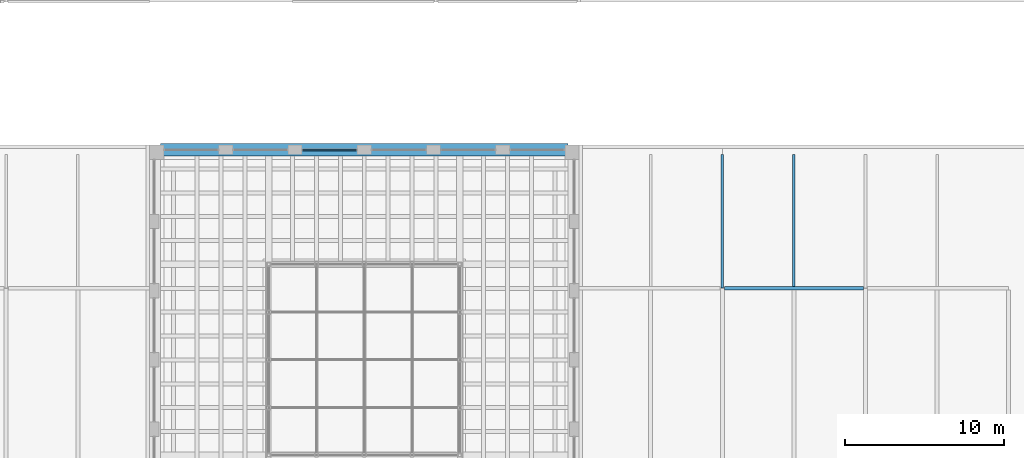
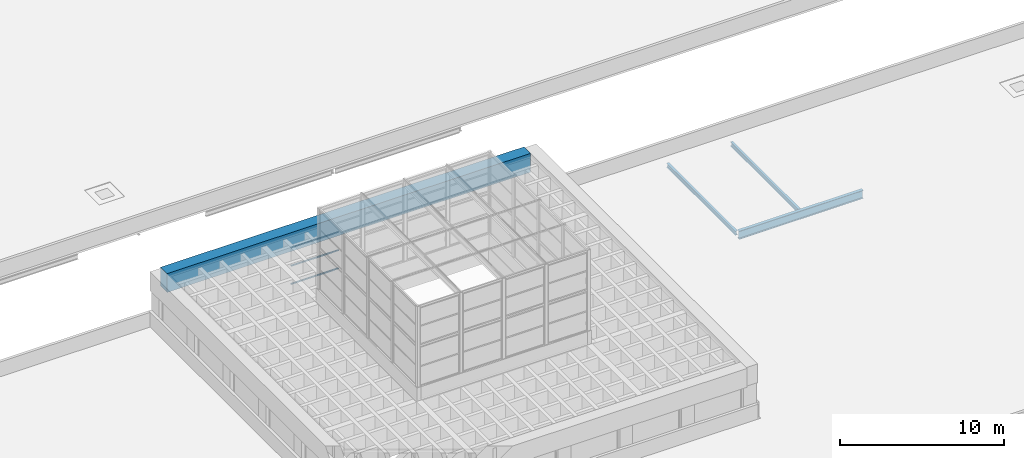
# One storey, part 35 of 50: 4 beams, 3 members, 1 element without a shape of its own.
"""IFC4 building model written with IfcOpenShell, lengths in metres."""

from ifc_helpers import new_model, si_unit, direction, frame, origin, origin_2d, place, context, subcontext, project, spatial, rectangle, i_section, extrude, material, layer, layer_set, material_profile, profile_set, type_object, element, aggregate, save


model = new_model("IFC4")

# Units and contexts
model_context = context("Model", 3, precision=1e-05, world=origin(), true_north=direction((0.0, 1.0)))
body_context = subcontext(model_context, "Body", "Model", "MODEL_VIEW")
ifc_project = project(units=[si_unit("LENGTHUNIT", "METRE"), si_unit("AREAUNIT", "SQUARE_METRE"), si_unit("VOLUMEUNIT", "CUBIC_METRE"), si_unit("PLANEANGLEUNIT", "RADIAN"), si_unit("MASSUNIT", "GRAM", prefix="KILO")], contexts=[model_context])

# Site, building, storey
site_placement = place(None, origin())
site = spatial("IfcSite", under=ifc_project, at=site_placement, CompositionType="ELEMENT")
building_placement = place(site_placement, origin())
building = spatial("IfcBuilding", under=site, at=building_placement, Name="Corbel Yard City Hall", CompositionType="ELEMENT")
storey_placement = place(building_placement, frame((0.0, 0.0, 15.0)))
storey = spatial("IfcBuildingStorey", under=building, at=storey_placement, Name="L03", CompositionType="ELEMENT", Elevation=15.0)

# Beams
ifc_material_1 = material(Name="Steel Grade 300 (300 MPa yield)", Category="steel")
ifc_material_profile_1 = material_profile(ifc_material_1, i_section(OverallWidth=0.166015625, OverallDepth=0.306884765625, WebThickness=0.006591796875, FlangeThickness=0.01171875, at=origin_2d()), Name="310UB46.2")
ifc_profile_set_1 = profile_set([ifc_material_profile_1], Name="Steel Grade 300 (300 MPa yield)")
beam_type_1 = type_object("IfcBeamType", Name="Beam 310UB46.2", PredefinedType="BEAM", material=ifc_profile_set_1)
beam_1_placement = place(storey_placement, frame((153.0, 72.00537109375, -0.303466796875), z_axis=(0.0, 1.0, 0.0), x_axis=(-1.0, 0.0, 0.0)))
element("IfcBeam", 1, at=beam_1_placement, inside=storey, type_object=beam_type_1, Name="Beam 310UB46.2 SB19 L03roof", PredefinedType="BEAM", context=body_context, shape_type="SweptSolid", body=[
    extrude(i_section(OverallWidth=0.166015625, OverallDepth=0.306884765625, WebThickness=0.006591796875, FlangeThickness=0.01171875, at=origin_2d()), origin(), (0.0, 0.0, 1.0), 8.39453125),
])
ifc_material_2 = material(Name="Concrete N50 (50 MPa)", Category="concrete")
ifc_material_profile_2 = material_profile(ifc_material_2, rectangle(XDim=0.800048828125, YDim=1.39990234375, at=origin_2d()), Name="800x1400")
ifc_profile_set_2 = profile_set([ifc_material_profile_2], Name="Concrete N50 (50 MPa)")
beam_type_2 = type_object("IfcBeamType", Name="Chamber roof edge beam RC 800X1400", PredefinedType="BEAM", material=ifc_profile_set_2)
beam_2_placement = place(storey_placement, frame((117.699951171875, 80.699951171875, 3.300048828125), z_axis=(1.0, 0.0, 0.0), x_axis=(0.0, 1.0, 0.0)))
element("IfcBeam", 2, at=beam_2_placement, inside=storey, type_object=beam_type_2, Name="Chamber roof edge beam RC 800X1400 EB14 north", PredefinedType="BEAM", context=body_context, shape_type="SweptSolid", body=[
    extrude(rectangle(XDim=0.800048828125, YDim=1.39990234375, at=origin_2d()), origin(), (0.0, 0.0, 1.0), 25.60009765625),
])
ifc_material_profile_3 = material_profile(ifc_material_1, i_section(OverallWidth=0.22900390625, OverallDepth=0.612060546875, WebThickness=0.011962890625, FlangeThickness=0.01953125, at=origin_2d()), Name="610UB125")
ifc_profile_set_3 = profile_set([ifc_material_profile_3], Name="Steel Grade 300 (300 MPa yield)")
beam_type_3 = type_object("IfcBeamType", Name="Girder 610UB125", PredefinedType="BEAM", material=ifc_profile_set_3)
beam_3_placement = place(storey_placement, frame((153.1298828125, 72.0, -0.4560546875), z_axis=(1.0, 0.0, 0.0), x_axis=(0.0, 1.0, 0.0)))
element("IfcBeam", 3, at=beam_3_placement, inside=storey, type_object=beam_type_3, Name="Girder 610UB125 GB1 L03roof", PredefinedType="BEAM", context=body_context, shape_type="SweptSolid", body=[
    extrude(i_section(OverallWidth=0.22900390625, OverallDepth=0.612060546875, WebThickness=0.011962890625, FlangeThickness=0.01953125, at=origin_2d()), origin(), (0.0, 0.0, 1.0), 8.740234375),
])
ifc_material_profile_4 = material_profile(ifc_material_1, i_section(OverallWidth=0.166015625, OverallDepth=0.306884765625, WebThickness=0.006591796875, FlangeThickness=0.01171875, at=origin_2d()), Name="310UB46.2")
ifc_profile_set_4 = profile_set([ifc_material_profile_4], Name="Steel Grade 300 (300 MPa yield)")
beam_type_4 = type_object("IfcBeamType", Name="Secondary beam 310UB46.2", PredefinedType="JOIST", material=ifc_profile_set_4)
beam_4_placement = place(storey_placement, frame((157.5, 72.114501953125, -0.303466796875), z_axis=(0.0, 1.0, 0.0), x_axis=(-1.0, 0.0, 0.0)))
element("IfcBeam", 4, at=beam_4_placement, inside=storey, type_object=beam_type_4, Name="Secondary beam 310UB46.2 SB17 L03roof", PredefinedType="JOIST", context=body_context, shape_type="SweptSolid", body=[
    extrude(i_section(OverallWidth=0.166015625, OverallDepth=0.306884765625, WebThickness=0.006591796875, FlangeThickness=0.01171875, at=origin_2d()), origin(), (0.0, 0.0, 1.0), 8.285400390625),
])

# Curtain wall, members
ifc_material_3 = material(Name="Aluminium extrusion", Category="aluminium")
ifc_layer = layer(ifc_material_3, 0.1201171875)
ifc_layer_set = layer_set([ifc_layer], Name="Aluminium extrusion")
curtain_wall_type = type_object("IfcCurtainWallType", Name="CW3", PredefinedType="USERDEFINED", material=ifc_layer_set)
curtain_wall_placement = place(storey_placement, origin())
curtain_wall = element("IfcCurtainWall", 5, at=curtain_wall_placement, inside=storey, type_object=curtain_wall_type, Name="Chamber clerestory glazing", ObjectType="CURTAIN WALL", PredefinedType="USERDEFINED")
ifc_material_profile_5 = material_profile(ifc_material_3, rectangle(XDim=0.10009765625, YDim=0.050048828125, at=origin_2d()), Name="100x50")
ifc_profile_set_5 = profile_set([ifc_material_profile_5], Name="Aluminium extrusion")
member_type = type_object("IfcMemberType", Name="TR3", PredefinedType="USERDEFINED", material=ifc_profile_set_5)
member_1_placement = place(storey_placement, frame((126.64990234375, 80.699951171875, -0.125), z_axis=(1.0, 0.0, 0.0), x_axis=(0.0, 1.0, 0.0)))
member_1 = element("IfcMember", 6, at=member_1_placement, type_object=member_type, Name="CW3 transom 1.1", ObjectType="TRANSOM", PredefinedType="USERDEFINED", context=body_context, shape_type="SweptSolid", body=[
    extrude(rectangle(XDim=0.10009765625, YDim=0.050048828125, at=origin_2d()), origin(), (0.0, 0.0, 1.0), 3.35009765625),
])
member_2_placement = place(storey_placement, frame((126.64990234375, 80.699951171875, 1.22509765625), z_axis=(1.0, 0.0, 0.0), x_axis=(0.0, 1.0, 0.0)))
member_2 = element("IfcMember", 7, at=member_2_placement, type_object=member_type, Name="CW3 transom 1.2", ObjectType="TRANSOM", PredefinedType="USERDEFINED", context=body_context, shape_type="SweptSolid", body=[
    extrude(rectangle(XDim=0.10009765625, YDim=0.050048828125, at=origin_2d()), origin(), (0.0, 0.0, 1.0), 3.35009765625),
])
member_3_placement = place(storey_placement, frame((126.64990234375, 80.699951171875, 2.574951171875), z_axis=(1.0, 0.0, 0.0), x_axis=(0.0, 1.0, 0.0)))
member_3 = element("IfcMember", 8, at=member_3_placement, type_object=member_type, Name="CW3 transom 1.3", ObjectType="TRANSOM", PredefinedType="USERDEFINED", context=body_context, shape_type="SweptSolid", body=[
    extrude(rectangle(XDim=0.10009765625, YDim=0.050048828125, at=origin_2d()), origin(), (0.0, 0.0, 1.0), 3.35009765625),
])
aggregate(curtain_wall, [member_1, member_2, member_3])

save(model, "model.ifc")
